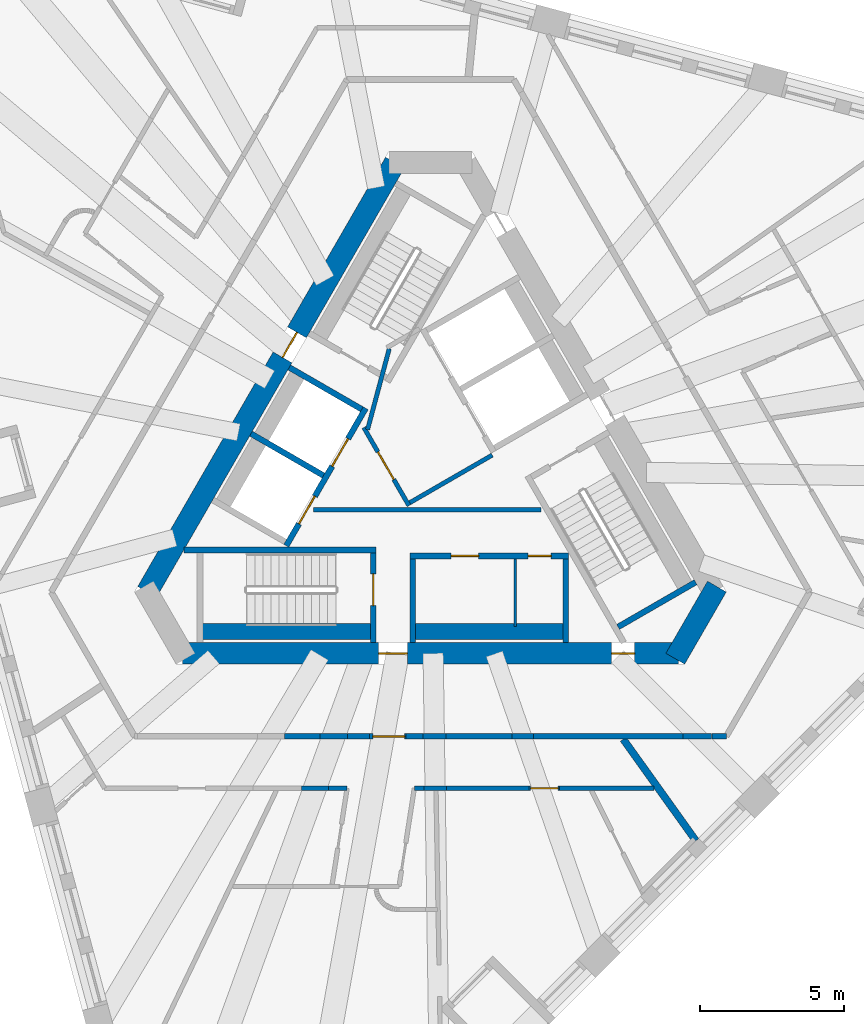
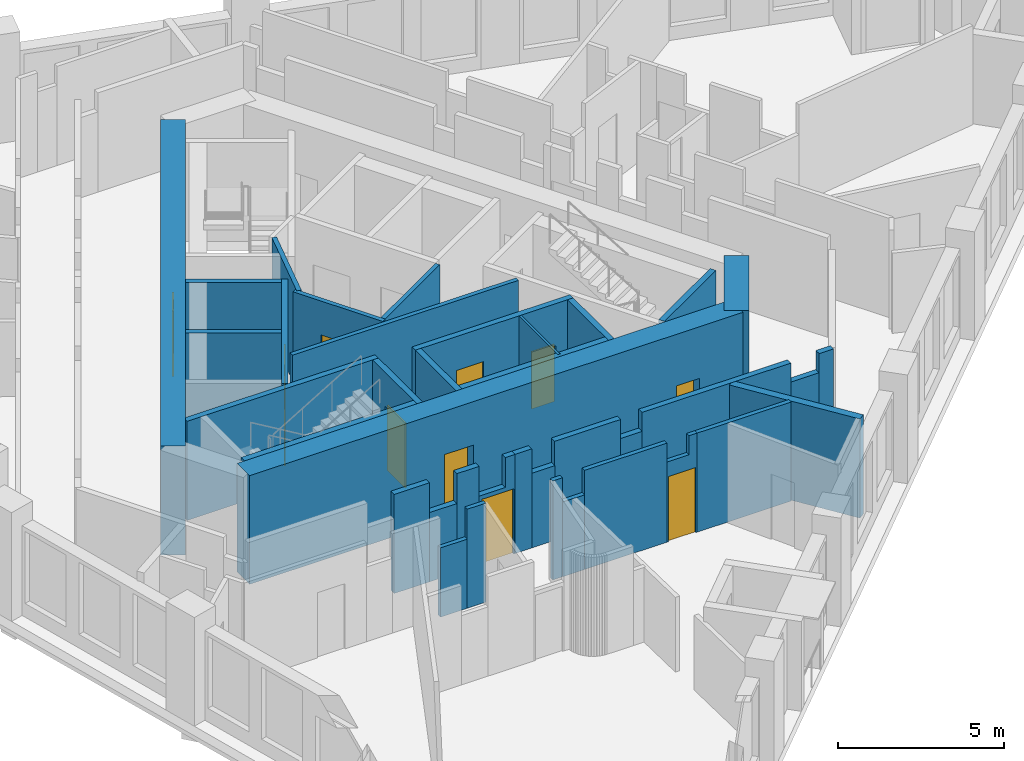
# One storey, part 4 of 13: 38 walls, 11 doors, 11 openings.
"""IFC4 building model written with IfcOpenShell, lengths in metres."""

from ifc_helpers import new_model, si_unit, direction, frame, frame_2d, origin, place, context, subcontext, project, spatial, polyline, rectangle, outline, extrude, material, layer, layer_set, type_object, element, fill, save


model = new_model("IFC4")

# Units and contexts
model_context = context("Model", 3, precision=1e-05, world=origin(), true_north=direction((0.0, 1.0)))
body_context = subcontext(model_context, "Body", "Model", "MODEL_VIEW")
ifc_project = project(units=[si_unit("LENGTHUNIT", "METRE"), si_unit("AREAUNIT", "SQUARE_METRE"), si_unit("VOLUMEUNIT", "CUBIC_METRE"), si_unit("PLANEANGLEUNIT", "RADIAN"), si_unit("MASSUNIT", "GRAM", prefix="KILO")], contexts=[model_context])

# Site, building, storey
site_placement = place(None, origin())
site = spatial("IfcSite", under=ifc_project, at=site_placement, CompositionType="ELEMENT")
building_placement = place(site_placement, origin())
building = spatial("IfcBuilding", under=site, at=building_placement, Name="Tramontana Tower", CompositionType="ELEMENT")
storey_placement = place(building_placement, frame((0.0, 0.0, 216.0)))
storey = spatial("IfcBuildingStorey", under=building, at=storey_placement, Name="L50", CompositionType="ELEMENT", Elevation=216.0)

# Wall, opening, door
ifc_material_1 = material(Name="Concrete 70 MPa", Category="concrete")
ifc_layer_1 = layer(ifc_material_1, 0.75)
ifc_layer_set_1 = layer_set([ifc_layer_1], Name="Core wall 750 70 MPa")
wall_type_1 = type_object("IfcWallType", Name="Core wall 750 70 MPa", PredefinedType="SHEAR", material=ifc_layer_set_1)
wall_1_placement = place(storey_placement, frame((-1.226806640625, 10.625, 0.0), z_axis=(0.0, 0.0, 1.0), x_axis=(-0.500002161919, -0.866024155596, 0.0)))
wall_1 = element("IfcWall", 1, at=wall_1_placement, inside=storey, type_object=wall_type_1, Name="Core wall C1 L50", PredefinedType="SHEAR", context=body_context, shape_type="SweptSolid", body=[
    extrude(rectangle(XDim=17.17626953125, YDim=0.75, at=frame_2d((8.588134765625, 0.0))), origin(), (0.0, 0.0, 1.0), 4.0),
])
opening_1_placement = place(wall_1_placement, frame((6.79296875, 0.0, 0.0)))
opening_1 = element("IfcOpeningElement", 2, at=opening_1_placement, cuts=wall_1, Name="Opening RG1", PredefinedType="OPENING", context=body_context, shape_type="SweptSolid", body=[
    extrude(rectangle(XDim=1.0, YDim=2.39990234375, at=frame_2d((0.5, 1.199951171875))), frame((0.0, 0.385009765625, 0.0), z_axis=(0.0, -1.0, 0.0), x_axis=(1.0, 0.0, 0.0)), (0.0, 0.0, 1.0), 0.77001953125),
])
ifc_material_2 = material(Name="Painted steel", Category="steel")
door_type_1 = type_object("IfcDoorType", Name="RING DOOR 1000", OperationType="SINGLE_SWING_LEFT", PredefinedType="DOOR", material=ifc_material_2)
door_1_placement = place(opening_1_placement, origin())
door_1 = element("IfcDoor", 3, at=door_1_placement, inside=storey, type_object=door_type_1, Name="Door RG1", OperationType="SINGLE_SWING_RIGHT", OverallHeight=2.39990234375, OverallWidth=1.0, PredefinedType="DOOR", context=body_context, shape_type="SweptSolid", body=[
    extrude(rectangle(XDim=1.0, YDim=2.39990234375, at=frame_2d((0.5, 1.199951171875))), frame((0.0, 0.02490234375, 0.0), z_axis=(0.0, -1.0, 0.0), x_axis=(1.0, 0.0, 0.0)), (0.0, 0.0, 1.0), 0.050048828125),
])
fill(opening_1, door_1)

# Wall, openings, doors
wall_2_placement = place(storey_placement, frame((-8.588134765625, -6.375, 0.0), z_axis=(0.0, 0.0, 1.0), x_axis=(1.0, 0.0, 0.0)))
wall_2 = element("IfcWall", 4, at=wall_2_placement, inside=storey, type_object=wall_type_1, Name="Core wall C3 L50", PredefinedType="SHEAR", context=body_context, shape_type="SweptSolid", body=[
    extrude(rectangle(XDim=17.17626953125, YDim=0.75, at=frame_2d((8.588134765625, 0.0))), origin(), (0.0, 0.0, 1.0), 4.0),
])
opening_2_placement = place(wall_2_placement, frame((6.793212890625, 0.0, 0.0)))
opening_2 = element("IfcOpeningElement", 5, at=opening_2_placement, cuts=wall_2, Name="Opening RG2", PredefinedType="OPENING", context=body_context, shape_type="SweptSolid", body=[
    extrude(rectangle(XDim=1.0, YDim=2.39990234375, at=frame_2d((0.5, 1.199951171875))), frame((0.0, 0.385009765625, 0.0), z_axis=(0.0, -1.0, 0.0), x_axis=(1.0, 0.0, 0.0)), (0.0, 0.0, 1.0), 0.77001953125),
])
opening_3_placement = place(wall_2_placement, frame((14.863525390625, 0.0, 0.0)))
opening_3 = element("IfcOpeningElement", 6, at=opening_3_placement, cuts=wall_2, Name="Opening PD2", PredefinedType="OPENING", context=body_context, shape_type="SweptSolid", body=[
    extrude(rectangle(XDim=0.800048828125, YDim=2.10009765625, at=frame_2d((0.39990234375, 1.050048828125))), frame((0.0, 0.385009765625, 0.0), z_axis=(0.0, -1.0, 0.0), x_axis=(1.0, 0.0, 0.0)), (0.0, 0.0, 1.0), 0.77001953125),
])
ifc_material_3 = material(Name="Painted steel", Category="steel")
door_type_2 = type_object("IfcDoorType", Name="CUPBOARD DOOR 800", OperationType="SINGLE_SWING_LEFT", PredefinedType="DOOR", material=ifc_material_3)
door_2_placement = place(opening_3_placement, origin())
door_2 = element("IfcDoor", 7, at=door_2_placement, inside=storey, type_object=door_type_2, Name="Door PD2", OperationType="SINGLE_SWING_LEFT", OverallHeight=2.10009765625, OverallWidth=0.800048828125, PredefinedType="DOOR", context=body_context, shape_type="SweptSolid", body=[
    extrude(rectangle(XDim=0.800048828125, YDim=2.10009765625, at=frame_2d((0.39990234375, 1.050048828125))), frame((0.0, 0.02490234375, 0.0), z_axis=(0.0, -1.0, 0.0), x_axis=(1.0, 0.0, 0.0)), (0.0, 0.0, 1.0), 0.050048828125),
])
fill(opening_3, door_2)
door_3_placement = place(opening_2_placement, origin())
door_3 = element("IfcDoor", 8, at=door_3_placement, inside=storey, type_object=door_type_1, Name="Door RG2", OperationType="SINGLE_SWING_LEFT", OverallHeight=2.39990234375, OverallWidth=1.0, PredefinedType="DOOR", context=body_context, shape_type="SweptSolid", body=[
    extrude(rectangle(XDim=1.0, YDim=2.39990234375, at=frame_2d((0.5, 1.199951171875))), frame((0.0, 0.02490234375, 0.0), z_axis=(0.0, -1.0, 0.0), x_axis=(1.0, 0.0, 0.0)), (0.0, 0.0, 1.0), 0.050048828125),
])
fill(opening_2, door_3)

# Walls
wall_3_placement = place(storey_placement, frame((8.479736328125, -6.5625, 0.0), z_axis=(0.0, 0.0, 1.0), x_axis=(0.499995765644, 0.866027848477, 0.0)))
element("IfcWall", 9, at=wall_3_placement, inside=storey, type_object=wall_type_1, Name="Core wall C4 L50", PredefinedType="SHEAR", context=body_context, shape_type="SweptSolid", body=[
    extrude(rectangle(XDim=2.88671875, YDim=0.75, at=frame_2d((1.443359375, 0.0))), origin(), (0.0, 0.0, 1.0), 4.0),
])
ifc_material_4 = material(Name="Blockwork", Category="masonry")
ifc_layer_2 = layer(ifc_material_4, 0.199951171875)
ifc_layer_set_2 = layer_set([ifc_layer_2], Name="ENTRY WALL 200")
wall_type_2 = type_object("IfcWallType", Name="ENTRY WALL 200", PredefinedType="SOLIDWALL", material=ifc_layer_set_2)
wall_4_placement = place(storey_placement, frame((10.248046875, -9.25, 0.0), z_axis=(0.0, 0.0, 1.0), x_axis=(-1.0, 0.0, 0.0)))
element("IfcWall", 10, at=wall_4_placement, inside=storey, type_object=wall_type_2, Name="Wall v51-ew2-0", PredefinedType="SOLIDWALL", context=body_context, shape_type="SweptSolid", body=[
    extrude(rectangle(XDim=0.503173828125, YDim=0.199951171875, at=frame_2d((0.25146484375, 0.0))), origin(), (0.0, 0.0, 1.0), 3.64990234375),
])
wall_5_placement = place(storey_placement, frame((9.744873046875, -9.25, 0.0), z_axis=(0.0, 0.0, 1.0), x_axis=(-1.0, 0.0, 0.0)))
element("IfcWall", 11, at=wall_5_placement, inside=storey, type_object=wall_type_2, Name="Wall v51-ew2-1", PredefinedType="SOLIDWALL", context=body_context, shape_type="SweptSolid", body=[
    extrude(rectangle(XDim=0.98974609375, YDim=0.199951171875, at=frame_2d((0.494873046875, 0.0))), origin(), (0.0, 0.0, 1.0), 2.949951171875),
])
wall_6_placement = place(storey_placement, frame((8.755126953125, -9.25, 0.0), z_axis=(0.0, 0.0, 1.0), x_axis=(-1.0, 0.0, 0.0)))
element("IfcWall", 12, at=wall_6_placement, inside=storey, type_object=wall_type_2, Name="Wall v51-ew2-2", PredefinedType="SOLIDWALL", context=body_context, shape_type="SweptSolid", body=[
    extrude(rectangle(XDim=5.18212890625, YDim=0.199951171875, at=frame_2d((2.591064453125, 0.0))), origin(), (0.0, 0.0, 1.0), 3.64990234375),
])
wall_7_placement = place(storey_placement, frame((3.572998046875, -9.25, 0.0), z_axis=(0.0, 0.0, 1.0), x_axis=(-1.0, 0.0, 0.0)))
element("IfcWall", 13, at=wall_7_placement, inside=storey, type_object=wall_type_2, Name="Wall v51-ew2-3", PredefinedType="SOLIDWALL", context=body_context, shape_type="SweptSolid", body=[
    extrude(rectangle(XDim=0.74072265625, YDim=0.199951171875, at=frame_2d((0.370361328125, 0.0))), origin(), (0.0, 0.0, 1.0), 2.949951171875),
])
wall_8_placement = place(storey_placement, frame((2.832275390625, -9.25, 0.0), z_axis=(0.0, 0.0, 1.0), x_axis=(-1.0, 0.0, 0.0)))
element("IfcWall", 14, at=wall_8_placement, inside=storey, type_object=wall_type_2, Name="Wall v51-ew2-4", PredefinedType="SOLIDWALL", context=body_context, shape_type="SweptSolid", body=[
    extrude(rectangle(XDim=2.29736328125, YDim=0.199951171875, at=frame_2d((1.148681640625, 0.0))), origin(), (0.0, 0.0, 1.0), 3.64990234375),
])
wall_9_placement = place(storey_placement, frame((0.534912109375, -9.25, 0.0), z_axis=(0.0, 0.0, 1.0), x_axis=(-1.0, 0.0, 0.0)))
element("IfcWall", 15, at=wall_9_placement, inside=storey, type_object=wall_type_2, Name="Wall v51-ew2-5", PredefinedType="SOLIDWALL", context=body_context, shape_type="SweptSolid", body=[
    extrude(rectangle(XDim=0.800048828125, YDim=0.199951171875, at=frame_2d((0.39990234375, 0.0))), origin(), (0.0, 0.0, 1.0), 2.75),
])
wall_10_placement = place(storey_placement, frame((-0.26513671875, -9.25, 0.0), z_axis=(0.0, 0.0, 1.0), x_axis=(-1.0, 0.0, 0.0)))
element("IfcWall", 16, at=wall_10_placement, inside=storey, type_object=wall_type_2, Name="Wall v51-ew2-6", PredefinedType="SOLIDWALL", context=body_context, shape_type="SweptSolid", body=[
    extrude(rectangle(XDim=0.576171875, YDim=0.199951171875, at=frame_2d((0.2880859375, 0.0))), origin(), (0.0, 0.0, 1.0), 3.64990234375),
])

# Wall, opening, door
wall_11_placement = place(storey_placement, frame((-0.84130859375, -9.25, 0.0), z_axis=(0.0, 0.0, 1.0), x_axis=(-1.0, 0.0, 0.0)))
wall_11 = element("IfcWall", 17, at=wall_11_placement, inside=storey, type_object=wall_type_2, Name="Wall v51-ew2-7", PredefinedType="SOLIDWALL", context=body_context, shape_type="SweptSolid", body=[
    extrude(outline(polyline([(0.0, 0.0), (1.261474609375, 0.0), (1.261474609375, 2.550048828125), (0.347412109375, 2.550048828125), (0.347412109375, 3.64990234375), (0.0, 3.64990234375), (0.0, 0.0)])), frame((0.0, 0.10009765625, 0.0), z_axis=(0.0, -1.0, 0.0), x_axis=(1.0, 0.0, 0.0)), (0.0, 0.0, 1.0), 0.199951171875),
])
opening_4_placement = place(wall_11_placement, frame((0.050048828125, 0.0, 0.0)))
opening_4 = element("IfcOpeningElement", 18, at=opening_4_placement, cuts=wall_11, Name="Opening B5B-20", PredefinedType="OPENING", context=body_context, shape_type="SweptSolid", body=[
    extrude(rectangle(XDim=1.10009765625, YDim=2.39990234375, at=frame_2d((0.550048828125, 1.199951171875))), frame((0.0, 0.10986328125, 0.0), z_axis=(0.0, -1.0, 0.0), x_axis=(1.0, 0.0, 0.0)), (0.0, 0.0, 1.0), 0.219970703125),
])
ifc_material_5 = material(Name="Painted timber", Category="wood")
door_type_3 = type_object("IfcDoorType", Name="DOOR ENTRY 1100", OperationType="SINGLE_SWING_LEFT", PredefinedType="DOOR", material=ifc_material_5)
door_4_placement = place(opening_4_placement, origin())
door_4 = element("IfcDoor", 19, at=door_4_placement, inside=storey, type_object=door_type_3, Name="Door B5B-20", OperationType="SINGLE_SWING_RIGHT", OverallHeight=2.39990234375, OverallWidth=1.10009765625, PredefinedType="DOOR", context=body_context, shape_type="SweptSolid", body=[
    extrude(rectangle(XDim=1.10009765625, YDim=2.39990234375, at=frame_2d((0.550048828125, 1.199951171875))), frame((0.0, 0.02490234375, 0.0), z_axis=(0.0, -1.0, 0.0), x_axis=(1.0, 0.0, 0.0)), (0.0, 0.0, 1.0), 0.050048828125),
])
fill(opening_4, door_4)

# Walls
wall_12_placement = place(storey_placement, frame((-2.102783203125, -9.25, 0.0), z_axis=(0.0, 0.0, 1.0), x_axis=(-1.0, 0.0, 0.0)))
element("IfcWall", 20, at=wall_12_placement, inside=storey, type_object=wall_type_2, Name="Wall v51-ew2-8", PredefinedType="SOLIDWALL", context=body_context, shape_type="SweptSolid", body=[
    extrude(rectangle(XDim=0.76904296875, YDim=0.199951171875, at=frame_2d((0.384521484375, 0.0))), origin(), (0.0, 0.0, 1.0), 3.64990234375),
])
wall_13_placement = place(storey_placement, frame((-2.871826171875, -9.25, 0.0), z_axis=(0.0, 0.0, 1.0), x_axis=(-1.0, 0.0, 0.0)))
element("IfcWall", 21, at=wall_13_placement, inside=storey, type_object=wall_type_2, Name="Wall v51-ew2-9", PredefinedType="SOLIDWALL", context=body_context, shape_type="SweptSolid", body=[
    extrude(rectangle(XDim=0.957275390625, YDim=0.199951171875, at=frame_2d((0.478515625, 0.0))), origin(), (0.0, 0.0, 1.0), 2.550048828125),
])
wall_14_placement = place(storey_placement, frame((-3.8291015625, -9.25, 0.0), z_axis=(0.0, 0.0, 1.0), x_axis=(-1.0, 0.0, 0.0)))
element("IfcWall", 22, at=wall_14_placement, inside=storey, type_object=wall_type_2, Name="Wall v51-ew2-10", PredefinedType="SOLIDWALL", context=body_context, shape_type="SweptSolid", body=[
    extrude(rectangle(XDim=1.22705078125, YDim=0.199951171875, at=frame_2d((0.613525390625, 0.0))), origin(), (0.0, 0.0, 1.0), 3.64990234375),
])

# Wall, opening, door
ifc_material_6 = material(Name="Gypsum board partition")
ifc_layer_3 = layer(ifc_material_6, 0.14990234375)
ifc_layer_set_3 = layer_set([ifc_layer_3], Name="PARTITION 150")
wall_type_3 = type_object("IfcWallType", Name="PARTITION 150", PredefinedType="PARTITIONING", material=ifc_layer_set_3)
wall_15_placement = place(storey_placement, frame((-0.744140625, -1.260986328125, 0.0), z_axis=(0.0, 0.0, 1.0), x_axis=(-0.500004234368, 0.866022959057, 0.0)))
wall_15 = element("IfcWall", 23, at=wall_15_placement, inside=storey, type_object=wall_type_3, Name="Wall ff-front", PredefinedType="PARTITIONING", context=body_context, shape_type="SweptSolid", body=[
    extrude(rectangle(XDim=3.125, YDim=0.14990234375, at=frame_2d((1.5625, 0.0))), origin(), (0.0, 0.0, 1.0), 3.64990234375),
])
opening_5_placement = place(wall_15_placement, frame((1.050048828125, 0.0, 0.0)))
opening_5 = element("IfcOpeningElement", 24, at=opening_5_placement, cuts=wall_15, Name="Opening FD1", PredefinedType="OPENING", context=body_context, shape_type="SweptSolid", body=[
    extrude(rectangle(XDim=1.10009765625, YDim=2.39990234375, at=frame_2d((0.550048828125, 1.199951171875))), frame((0.0, 0.0849609375, 0.0), z_axis=(0.0, -1.0, 0.0), x_axis=(1.0, 0.0, 0.0)), (0.0, 0.0, 1.0), 0.169921875),
])
door_5_placement = place(opening_5_placement, origin())
door_5 = element("IfcDoor", 25, at=door_5_placement, inside=storey, type_object=door_type_3, Name="Door FD1", OperationType="SINGLE_SWING_LEFT", OverallHeight=2.39990234375, OverallWidth=1.10009765625, PredefinedType="DOOR", context=body_context, shape_type="SweptSolid", body=[
    extrude(rectangle(XDim=1.10009765625, YDim=2.39990234375, at=frame_2d((0.550048828125, 1.199951171875))), frame((0.0, 0.02490234375, 0.0), z_axis=(0.0, -1.0, 0.0), x_axis=(1.0, 0.0, 0.0)), (0.0, 0.0, 1.0), 0.050048828125),
])
fill(opening_5, door_5)

# Walls
wall_16_placement = place(storey_placement, frame((-0.716796875, -1.15869140625, 0.0), z_axis=(0.0, 0.0, 1.0), x_axis=(0.866008176907, 0.50002983664, 0.0)))
element("IfcWall", 26, at=wall_16_placement, inside=storey, type_object=wall_type_3, Name="Wall ff-end0", PredefinedType="PARTITIONING", context=body_context, shape_type="SweptSolid", body=[
    extrude(rectangle(XDim=3.300048828125, YDim=0.14990234375, at=frame_2d((1.64990234375, 0.0))), origin(), (0.0, 0.0, 1.0), 3.64990234375),
])
wall_17_placement = place(storey_placement, frame((-2.177978515625, 1.372314453125, 0.0), z_axis=(0.0, 0.0, 1.0), x_axis=(0.258808958833, 0.96592852884, 0.0)))
element("IfcWall", 27, at=wall_17_placement, inside=storey, type_object=wall_type_3, Name="Wall ff-diag", PredefinedType="PARTITIONING", context=body_context, shape_type="SweptSolid", body=[
    extrude(rectangle(XDim=2.902587890625, YDim=0.14990234375, at=frame_2d((1.451171875, 0.0))), origin(), (0.0, 0.0, 1.0), 3.64990234375),
])
wall_18_placement = place(storey_placement, frame((-4.053466796875, -1.39990234375, 0.0), z_axis=(0.0, 0.0, 1.0), x_axis=(1.0, 0.0, 0.0)))
element("IfcWall", 28, at=wall_18_placement, inside=storey, type_object=wall_type_3, Name="Wall hub-cut1", PredefinedType="PARTITIONING", context=body_context, shape_type="SweptSolid", body=[
    extrude(rectangle(XDim=7.8759765625, YDim=0.14990234375, at=frame_2d((3.93798828125, 0.0))), origin(), (0.0, 0.0, 1.0), 3.64990234375),
])
wall_19_placement = place(storey_placement, frame((-2.8857421875, -11.050048828125, 0.0), z_axis=(0.0, 0.0, 1.0), x_axis=(-1.0, 0.0, 0.0)))
element("IfcWall", 29, at=wall_19_placement, inside=storey, type_object=wall_type_3, Name="Wall v51-pw32-0", PredefinedType="PARTITIONING", context=body_context, shape_type="SweptSolid", body=[
    extrude(rectangle(XDim=0.6513671875, YDim=0.14990234375, at=frame_2d((0.32568359375, 0.0))), origin(), (0.0, 0.0, 1.0), 3.64990234375),
])
wall_20_placement = place(storey_placement, frame((-3.537109375, -11.050048828125, 0.0), z_axis=(0.0, 0.0, 1.0), x_axis=(-1.0, 0.0, 0.0)))
element("IfcWall", 30, at=wall_20_placement, inside=storey, type_object=wall_type_3, Name="Wall v51-pw32-1", PredefinedType="PARTITIONING", context=body_context, shape_type="SweptSolid", body=[
    extrude(rectangle(XDim=0.9306640625, YDim=0.14990234375, at=frame_2d((0.46533203125, 0.0))), origin(), (0.0, 0.0, 1.0), 2.550048828125),
])
wall_21_placement = place(storey_placement, frame((7.7412109375, -11.050048828125, 0.0), z_axis=(0.0, 0.0, 1.0), x_axis=(-1.0, 0.0, 0.0)))
element("IfcWall", 31, at=wall_21_placement, inside=storey, type_object=wall_type_3, Name="Wall v51-pw57-0", PredefinedType="PARTITIONING", context=body_context, shape_type="SweptSolid", body=[
    extrude(rectangle(XDim=3.27099609375, YDim=0.14990234375, at=frame_2d((1.635498046875, 0.0))), origin(), (0.0, 0.0, 1.0), 3.64990234375),
])

# Wall, opening, door
wall_22_placement = place(storey_placement, frame((4.47021484375, -11.050048828125, 0.0), z_axis=(0.0, 0.0, 1.0), x_axis=(-1.0, 0.0, 0.0)))
wall_22 = element("IfcWall", 32, at=wall_22_placement, inside=storey, type_object=wall_type_3, Name="Wall v51-pw57-1", PredefinedType="PARTITIONING", context=body_context, shape_type="SweptSolid", body=[
    extrude(outline(polyline([(0.0, 0.0), (1.050048828125, 0.0), (1.050048828125, 2.949951171875), (0.287109375, 2.949951171875), (0.287109375, 3.64990234375), (0.0, 3.64990234375), (0.0, 0.0)])), frame((0.0, 0.074951171875, 0.0), z_axis=(0.0, -1.0, 0.0), x_axis=(1.0, 0.0, 0.0)), (0.0, 0.0, 1.0), 0.14990234375),
])
opening_6_placement = place(wall_22_placement, frame((0.050048828125, 0.0, 0.0)))
opening_6 = element("IfcOpeningElement", 33, at=opening_6_placement, cuts=wall_22, Name="Opening B5B-10", PredefinedType="OPENING", context=body_context, shape_type="SweptSolid", body=[
    extrude(rectangle(XDim=0.949951171875, YDim=2.39990234375, at=frame_2d((0.47509765625, 1.199951171875))), frame((0.0, 0.0849609375, 0.0), z_axis=(0.0, -1.0, 0.0), x_axis=(1.0, 0.0, 0.0)), (0.0, 0.0, 1.0), 0.169921875),
])
ifc_material_7 = material(Name="Painted timber", Category="wood")
door_type_4 = type_object("IfcDoorType", Name="DOOR ROOM 950", OperationType="SINGLE_SWING_LEFT", PredefinedType="DOOR", material=ifc_material_7)
door_6_placement = place(opening_6_placement, origin())
door_6 = element("IfcDoor", 34, at=door_6_placement, inside=storey, type_object=door_type_4, Name="Door B5B-10", OperationType="SINGLE_SWING_RIGHT", OverallHeight=2.39990234375, OverallWidth=0.949951171875, PredefinedType="DOOR", context=body_context, shape_type="SweptSolid", body=[
    extrude(rectangle(XDim=0.949951171875, YDim=2.39990234375, at=frame_2d((0.47509765625, 1.199951171875))), frame((0.0, 0.02490234375, 0.0), z_axis=(0.0, -1.0, 0.0), x_axis=(1.0, 0.0, 0.0)), (0.0, 0.0, 1.0), 0.050048828125),
])
fill(opening_6, door_6)

# Walls
wall_23_placement = place(storey_placement, frame((3.420166015625, -11.050048828125, 0.0), z_axis=(0.0, 0.0, 1.0), x_axis=(-1.0, 0.0, 0.0)))
element("IfcWall", 35, at=wall_23_placement, inside=storey, type_object=wall_type_3, Name="Wall v51-pw57-2", PredefinedType="PARTITIONING", context=body_context, shape_type="SweptSolid", body=[
    extrude(rectangle(XDim=2.871337890625, YDim=0.14990234375, at=frame_2d((1.435546875, 0.0))), origin(), (0.0, 0.0, 1.0), 3.64990234375),
])
wall_24_placement = place(storey_placement, frame((0.548828125, -11.050048828125, 0.0), z_axis=(0.0, 0.0, 1.0), x_axis=(-1.0, 0.0, 0.0)))
element("IfcWall", 36, at=wall_24_placement, inside=storey, type_object=wall_type_3, Name="Wall v51-pw57-3", PredefinedType="PARTITIONING", context=body_context, shape_type="SweptSolid", body=[
    extrude(rectangle(XDim=0.775146484375, YDim=0.14990234375, at=frame_2d((0.3876953125, 0.0))), origin(), (0.0, 0.0, 1.0), 2.75),
])
wall_25_placement = place(storey_placement, frame((-0.226318359375, -11.050048828125, 0.0), z_axis=(0.0, 0.0, 1.0), x_axis=(-1.0, 0.0, 0.0)))
element("IfcWall", 37, at=wall_25_placement, inside=storey, type_object=wall_type_3, Name="Wall v51-pw57-4", PredefinedType="PARTITIONING", context=body_context, shape_type="SweptSolid", body=[
    extrude(rectangle(XDim=0.331787109375, YDim=0.14990234375, at=frame_2d((0.166015625, 0.0))), origin(), (0.0, 0.0, 1.0), 3.64990234375),
])
ifc_material_8 = material(Name="Gypsum board partition")
ifc_layer_4 = layer(ifc_material_8, 0.080078125)
ifc_layer_set_4 = layer_set([ifc_layer_4], Name="PARTITION 80")
wall_type_4 = type_object("IfcWallType", Name="PARTITION 80", PredefinedType="PARTITIONING", material=ifc_layer_set_4)
wall_26_placement = place(storey_placement, frame((2.93994140625, -3.10009765625, 0.0), z_axis=(0.0, 0.0, 1.0), x_axis=(0.0, -1.0, 0.0)))
element("IfcWall", 38, at=wall_26_placement, inside=storey, type_object=wall_type_4, Name="Wall row1-split", PredefinedType="PARTITIONING", context=body_context, shape_type="SweptSolid", body=[
    extrude(rectangle(XDim=2.349853515625, YDim=0.080078125, at=frame_2d((1.1748046875, 0.0))), origin(), (0.0, 0.0, 1.0), 3.64990234375),
])
ifc_material_9 = material(Name="Blockwork", Category="masonry")
ifc_layer_5 = layer(ifc_material_9, 0.25)
ifc_layer_set_5 = layer_set([ifc_layer_5], Name="PARTY WALL 250")
wall_type_5 = type_object("IfcWallType", Name="PARTY WALL 250", PredefinedType="SOLIDWALL", material=ifc_layer_set_5)
wall_27_placement = place(storey_placement, frame((6.68017578125, -9.35009765625, 0.0), z_axis=(0.0, 0.0, 1.0), x_axis=(0.581382403907, -0.813630444629, 0.0)))
element("IfcWall", 39, at=wall_27_placement, inside=storey, type_object=wall_type_5, Name="Wall v51-pw55", PredefinedType="SOLIDWALL", context=body_context, shape_type="SweptSolid", body=[
    extrude(rectangle(XDim=4.32373046875, YDim=0.25, at=frame_2d((2.161865234375, 0.0))), origin(), (0.0, 0.0, 1.0), 3.64990234375),
])
ifc_material_10 = material(Name="Concrete 70 MPa", Category="concrete")
ifc_layer_6 = layer(ifc_material_10, 0.550048828125)
ifc_layer_set_6 = layer_set([ifc_layer_6], Name="Concrete 70 MPa, 550 mm")
wall_type_6 = type_object("IfcWallType", Name="RC SHAFT BACK WALL 550", PredefinedType="SOLIDWALL", material=ifc_layer_set_6)
wall_28_placement = place(storey_placement, frame((-8.080078125, -5.625, 0.0), z_axis=(0.0, 0.0, 1.0), x_axis=(1.0, 0.0, 0.0)))
element("IfcWall", 40, at=wall_28_placement, inside=storey, type_object=wall_type_6, Name="Wall st2-back", PredefinedType="SOLIDWALL", context=body_context, shape_type="SweptSolid", body=[
    extrude(rectangle(XDim=6.2001953125, YDim=0.550048828125, at=frame_2d((3.10009765625, 0.0))), origin(), (0.0, 0.0, 1.0), 3.64990234375),
])
wall_29_placement = place(storey_placement, frame((-0.7099609375, -5.625, 0.0), z_axis=(0.0, 0.0, 1.0), x_axis=(1.0, 0.0, 0.0)))
element("IfcWall", 41, at=wall_29_placement, inside=storey, type_object=wall_type_6, Name="Wall row1-back", PredefinedType="SOLIDWALL", context=body_context, shape_type="SweptSolid", body=[
    extrude(rectangle(XDim=5.5, YDim=0.550048828125, at=frame_2d((2.75, 0.0))), origin(), (0.0, 0.0, 1.0), 3.64990234375),
])
ifc_material_11 = material(Name="Concrete 70 MPa", Category="concrete")
ifc_layer_7 = layer(ifc_material_11, 0.199951171875)
ifc_layer_set_7 = layer_set([ifc_layer_7], Name="Concrete 70 MPa, 200 mm")
wall_type_7 = type_object("IfcWallType", Name="RC STAIR AND SHAFT WALL 200", PredefinedType="SOLIDWALL", material=ifc_layer_set_7)
wall_30_placement = place(storey_placement, frame((-8.544677734375, -2.800048828125, 0.0), z_axis=(0.0, 0.0, 1.0), x_axis=(1.0, 0.0, 0.0)))
element("IfcWall", 42, at=wall_30_placement, inside=storey, type_object=wall_type_7, Name="Wall st2-front", PredefinedType="SOLIDWALL", context=body_context, shape_type="SweptSolid", body=[
    extrude(rectangle(XDim=6.664794921875, YDim=0.199951171875, at=frame_2d((3.33251953125, 0.0))), origin(), (0.0, 0.0, 1.0), 3.64990234375),
])

# Wall, opening, door
wall_31_placement = place(storey_placement, frame((-1.97998046875, -2.89990234375, 0.0), z_axis=(0.0, 0.0, 1.0), x_axis=(0.0, -1.0, 0.0)))
wall_31 = element("IfcWall", 43, at=wall_31_placement, inside=storey, type_object=wall_type_7, Name="Wall st2-near", PredefinedType="SOLIDWALL", context=body_context, shape_type="SweptSolid", body=[
    extrude(rectangle(XDim=3.10009765625, YDim=0.199951171875, at=frame_2d((1.550048828125, 0.0))), origin(), (0.0, 0.0, 1.0), 3.64990234375),
])
opening_7_placement = place(wall_31_placement, frame((0.72509765625, 0.0, 0.0)))
opening_7 = element("IfcOpeningElement", 44, at=opening_7_placement, cuts=wall_31, Name="Opening SD2", PredefinedType="OPENING", context=body_context, shape_type="SweptSolid", body=[
    extrude(rectangle(XDim=1.10009765625, YDim=2.39990234375, at=frame_2d((0.550048828125, 1.199951171875))), frame((0.0, 0.10986328125, 0.0), z_axis=(0.0, -1.0, 0.0), x_axis=(1.0, 0.0, 0.0)), (0.0, 0.0, 1.0), 0.219970703125),
])
ifc_material_12 = material(Name="Painted steel", Category="steel")
door_type_5 = type_object("IfcDoorType", Name="STAIR DOOR 1100", OperationType="SINGLE_SWING_LEFT", PredefinedType="DOOR", material=ifc_material_12)
door_7_placement = place(opening_7_placement, origin())
door_7 = element("IfcDoor", 45, at=door_7_placement, inside=storey, type_object=door_type_5, Name="Door SD2", OperationType="SINGLE_SWING_LEFT", OverallHeight=2.39990234375, OverallWidth=1.10009765625, PredefinedType="DOOR", context=body_context, shape_type="SweptSolid", body=[
    extrude(rectangle(XDim=1.10009765625, YDim=2.39990234375, at=frame_2d((0.550048828125, 1.199951171875))), frame((0.0, 0.02490234375, 0.0), z_axis=(0.0, -1.0, 0.0), x_axis=(1.0, 0.0, 0.0)), (0.0, 0.0, 1.0), 0.050048828125),
])
fill(opening_7, door_7)

# Wall
wall_32_placement = place(storey_placement, frame((6.50146484375, -5.4609375, 0.0), z_axis=(0.0, 0.0, 1.0), x_axis=(0.86600983753, 0.500026960575, 0.0)))
element("IfcWall", 46, at=wall_32_placement, inside=storey, type_object=wall_type_7, Name="Wall st3-far", PredefinedType="SOLIDWALL", context=body_context, shape_type="SweptSolid", body=[
    extrude(rectangle(XDim=3.099853515625, YDim=0.199951171875, at=frame_2d((1.5498046875, 0.0))), origin(), (0.0, 0.0, 1.0), 3.64990234375),
])

# Wall, openings, doors
wall_33_placement = place(storey_placement, frame((-2.2431640625, 2.114990234375, 0.0), z_axis=(0.0, 0.0, 1.0), x_axis=(-0.499996545922, -0.866027397988, 0.0)))
wall_33 = element("IfcWall", 47, at=wall_33_placement, inside=storey, type_object=wall_type_7, Name="Wall row0-front", PredefinedType="SOLIDWALL", context=body_context, shape_type="SweptSolid", body=[
    extrude(rectangle(XDim=5.5, YDim=0.199951171875, at=frame_2d((2.75, 0.0))), origin(), (0.0, 0.0, 1.0), 3.64990234375),
])
opening_8_placement = place(wall_33_placement, frame((1.219970703125, 0.0, 0.0)))
opening_8 = element("IfcOpeningElement", 48, at=opening_8_placement, cuts=wall_33, Name="Opening LD-P1", PredefinedType="OPENING", context=body_context, shape_type="SweptSolid", body=[
    extrude(rectangle(XDim=1.10009765625, YDim=2.10009765625, at=frame_2d((0.550048828125, 1.050048828125))), frame((0.0, 0.10986328125, 0.0), z_axis=(0.0, -1.0, 0.0), x_axis=(1.0, 0.0, 0.0)), (0.0, 0.0, 1.0), 0.219970703125),
])
opening_9_placement = place(wall_33_placement, frame((3.52490234375, 0.0, 0.0)))
opening_9 = element("IfcOpeningElement", 49, at=opening_9_placement, cuts=wall_33, Name="Opening LD-P2", PredefinedType="OPENING", context=body_context, shape_type="SweptSolid", body=[
    extrude(rectangle(XDim=1.10009765625, YDim=2.10009765625, at=frame_2d((0.550048828125, 1.050048828125))), frame((0.0, 0.10986328125, 0.0), z_axis=(0.0, -1.0, 0.0), x_axis=(1.0, 0.0, 0.0)), (0.0, 0.0, 1.0), 0.219970703125),
])
ifc_material_13 = material(Name="Brushed steel", Category="steel")
door_type_6 = type_object("IfcDoorType", Name="LANDING DOOR 1100", OperationType="SINGLE_SWING_LEFT", PredefinedType="DOOR", material=ifc_material_13)
door_8_placement = place(opening_8_placement, origin())
door_8 = element("IfcDoor", 50, at=door_8_placement, inside=storey, type_object=door_type_6, Name="Door LD-P1", OperationType="SLIDING_TO_LEFT", OverallHeight=2.10009765625, OverallWidth=1.10009765625, PredefinedType="DOOR", context=body_context, shape_type="SweptSolid", body=[
    extrude(rectangle(XDim=1.10009765625, YDim=2.10009765625, at=frame_2d((0.550048828125, 1.050048828125))), frame((0.0, 0.02490234375, 0.0), z_axis=(0.0, -1.0, 0.0), x_axis=(1.0, 0.0, 0.0)), (0.0, 0.0, 1.0), 0.050048828125),
])
fill(opening_8, door_8)
door_9_placement = place(opening_9_placement, origin())
door_9 = element("IfcDoor", 51, at=door_9_placement, inside=storey, type_object=door_type_6, Name="Door LD-P2", OperationType="SLIDING_TO_RIGHT", OverallHeight=2.10009765625, OverallWidth=1.10009765625, PredefinedType="DOOR", context=body_context, shape_type="SweptSolid", body=[
    extrude(rectangle(XDim=1.10009765625, YDim=2.10009765625, at=frame_2d((0.550048828125, 1.050048828125))), frame((0.0, 0.02490234375, 0.0), z_axis=(0.0, -1.0, 0.0), x_axis=(1.0, 0.0, 0.0)), (0.0, 0.0, 1.0), 0.050048828125),
])
fill(opening_9, door_9)

# Walls
wall_34_placement = place(storey_placement, frame((-2.379638671875, 2.078369140625, 0.0), z_axis=(0.0, 0.0, 1.0), x_axis=(-0.866032775405, 0.499987231761, 0.0)))
element("IfcWall", 52, at=wall_34_placement, inside=storey, type_object=wall_type_7, Name="Wall row0-side0", PredefinedType="SOLIDWALL", context=body_context, shape_type="SweptSolid", body=[
    extrude(rectangle(XDim=2.89990234375, YDim=0.199951171875, at=frame_2d((1.449951171875, 0.0))), origin(), (0.0, 0.0, 1.0), 3.64990234375),
])
wall_35_placement = place(storey_placement, frame((-3.70458984375, -0.216796875, 0.0), z_axis=(0.0, 0.0, 1.0), x_axis=(-0.865996321171, 0.50005036918, 0.0)))
element("IfcWall", 53, at=wall_35_placement, inside=storey, type_object=wall_type_7, Name="Wall row0-side1", PredefinedType="SOLIDWALL", context=body_context, shape_type="SweptSolid", body=[
    extrude(rectangle(XDim=2.900146484375, YDim=0.199951171875, at=frame_2d((1.4501953125, 0.0))), origin(), (0.0, 0.0, 1.0), 3.64990234375),
])

# Wall, openings, doors
wall_36_placement = place(storey_placement, frame((4.7900390625, -3.0, 0.0), z_axis=(0.0, 0.0, 1.0), x_axis=(-1.0, 0.0, 0.0)))
wall_36 = element("IfcWall", 54, at=wall_36_placement, inside=storey, type_object=wall_type_7, Name="Wall row1-front", PredefinedType="SOLIDWALL", context=body_context, shape_type="SweptSolid", body=[
    extrude(rectangle(XDim=5.5, YDim=0.199951171875, at=frame_2d((2.75, 0.0))), origin(), (0.0, 0.0, 1.0), 3.64990234375),
])
opening_10_placement = place(wall_36_placement, frame((3.1201171875, 0.0, 0.0)))
opening_10 = element("IfcOpeningElement", 55, at=opening_10_placement, cuts=wall_36, Name="Opening RD-1A", PredefinedType="OPENING", context=body_context, shape_type="SweptSolid", body=[
    extrude(rectangle(XDim=0.949951171875, YDim=2.39990234375, at=frame_2d((0.47509765625, 1.199951171875))), frame((0.0, 0.10986328125, 0.0), z_axis=(0.0, -1.0, 0.0), x_axis=(1.0, 0.0, 0.0)), (0.0, 0.0, 1.0), 0.219970703125),
])
opening_11_placement = place(wall_36_placement, frame((0.60498046875, 0.0, 0.0)))
opening_11 = element("IfcOpeningElement", 56, at=opening_11_placement, cuts=wall_36, Name="Opening RD-1B", PredefinedType="OPENING", context=body_context, shape_type="SweptSolid", body=[
    extrude(rectangle(XDim=0.800048828125, YDim=2.10009765625, at=frame_2d((0.39990234375, 1.050048828125))), frame((0.0, 0.10986328125, 0.0), z_axis=(0.0, -1.0, 0.0), x_axis=(1.0, 0.0, 0.0)), (0.0, 0.0, 1.0), 0.219970703125),
])
door_10_placement = place(opening_11_placement, origin())
door_10 = element("IfcDoor", 57, at=door_10_placement, inside=storey, type_object=door_type_2, Name="Door RD-1B", OperationType="SINGLE_SWING_RIGHT", OverallHeight=2.10009765625, OverallWidth=0.800048828125, PredefinedType="DOOR", context=body_context, shape_type="SweptSolid", body=[
    extrude(rectangle(XDim=0.800048828125, YDim=2.10009765625, at=frame_2d((0.39990234375, 1.050048828125))), frame((0.0, 0.02490234375, 0.0), z_axis=(0.0, -1.0, 0.0), x_axis=(1.0, 0.0, 0.0)), (0.0, 0.0, 1.0), 0.050048828125),
])
fill(opening_11, door_10)
door_11_placement = place(opening_10_placement, origin())
door_11 = element("IfcDoor", 58, at=door_11_placement, inside=storey, type_object=door_type_4, Name="Door RD-1A", OperationType="SINGLE_SWING_LEFT", OverallHeight=2.39990234375, OverallWidth=0.949951171875, PredefinedType="DOOR", context=body_context, shape_type="SweptSolid", body=[
    extrude(rectangle(XDim=0.949951171875, YDim=2.39990234375, at=frame_2d((0.47509765625, 1.199951171875))), frame((0.0, 0.02490234375, 0.0), z_axis=(0.0, -1.0, 0.0), x_axis=(1.0, 0.0, 0.0)), (0.0, 0.0, 1.0), 0.050048828125),
])
fill(opening_10, door_11)

# Walls
for number, where, z_axis, x_axis, name in (
    (59, (-0.610107421875, -3.10009765625, 0.0), (0.0, 0.0, 1.0), (0.0, -1.0, 0.0), "Wall row1-side0"),
    (60, (4.68994140625, -3.10009765625, 0.0), (0.0, 0.0, 1.0), (0.0, -1.0, 0.0), "Wall row1-side2"),
):
    element("IfcWall", number, at=place(storey_placement, frame(where, z_axis=z_axis, x_axis=x_axis)), inside=storey, type_object=wall_type_7, Name=name, PredefinedType="SOLIDWALL", context=body_context, shape_type="SweptSolid", body=[
        extrude(rectangle(XDim=2.89990234375, YDim=0.199951171875, at=frame_2d((1.449951171875, 0.0))), origin(), (0.0, 0.0, 1.0), 3.64990234375),
    ])

save(model, "model.ifc")
